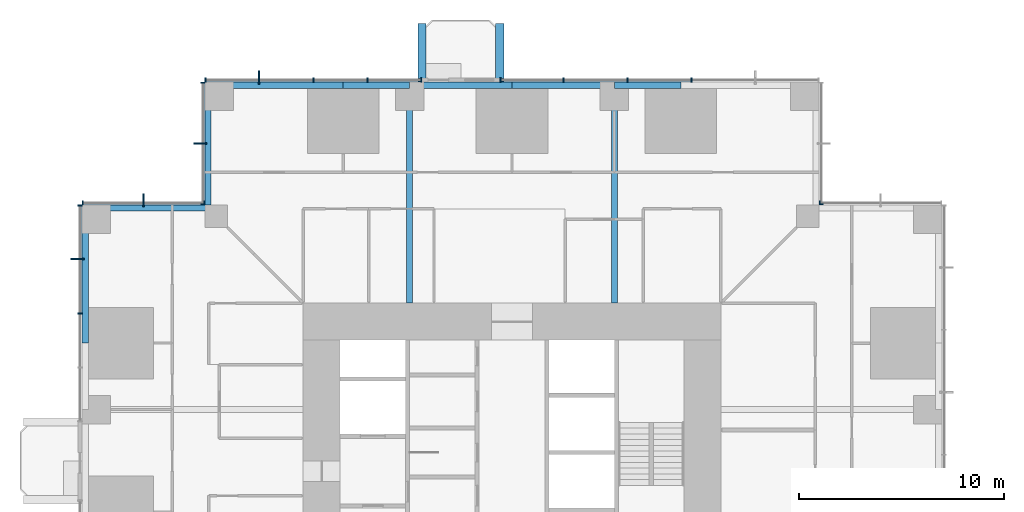
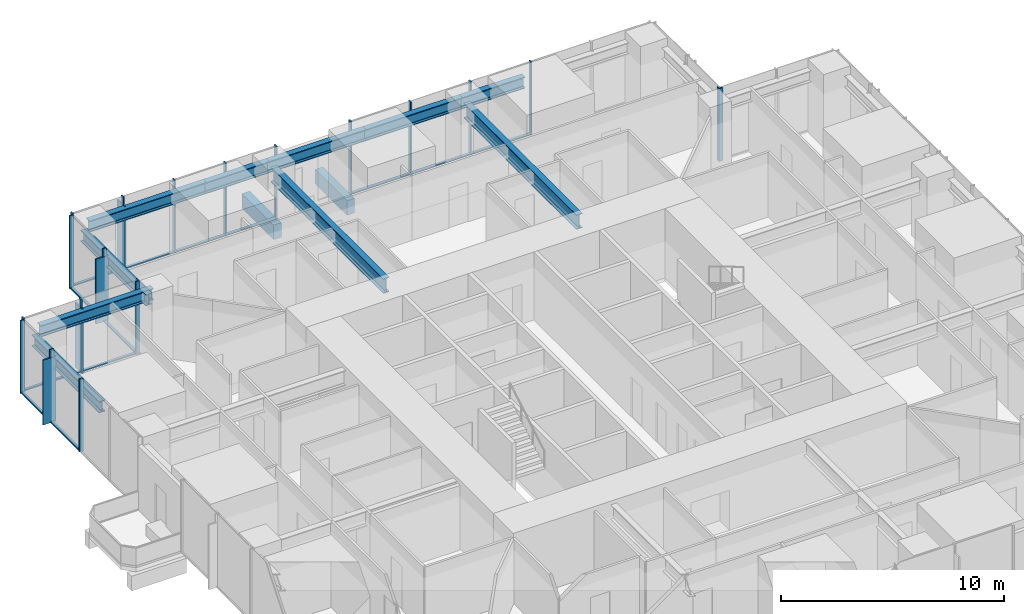
# One storey, part 5 of 17: 37 members, 12 beams, 7 elements without a shape of their own.
"""IFC4 building model written with IfcOpenShell, lengths in metres."""

from ifc_helpers import new_model, si_unit, direction, frame, origin, origin_2d, place, context, subcontext, project, spatial, rectangle, i_section, extrude, material, material_profile, profile_set, type_object, element, aggregate, save


model = new_model("IFC4")

# Units and contexts
model_context = context("Model", 3, precision=1e-05, world=origin(), true_north=direction((0.0, 1.0)))
body_context = subcontext(model_context, "Body", "Model", "MODEL_VIEW")
ifc_project = project(units=[si_unit("LENGTHUNIT", "METRE"), si_unit("AREAUNIT", "SQUARE_METRE"), si_unit("VOLUMEUNIT", "CUBIC_METRE"), si_unit("PLANEANGLEUNIT", "RADIAN"), si_unit("MASSUNIT", "GRAM", prefix="KILO")], contexts=[model_context])

# Site, building, storey
site_placement = place(None, origin())
site = spatial("IfcSite", under=ifc_project, at=site_placement, CompositionType="ELEMENT")
building_placement = place(site_placement, origin())
building = spatial("IfcBuilding", under=site, at=building_placement, Name="Svetlomir Tower", CompositionType="ELEMENT")
storey_placement = place(building_placement, frame((0.0, 0.0, 82.5)))
storey = spatial("IfcBuildingStorey", under=building, at=storey_placement, Name="L19", CompositionType="ELEMENT", Elevation=82.5)

# Beams
ifc_material_1 = material(Name="Concrete C60/75", Category="concrete")
ifc_material_profile_1 = material_profile(ifc_material_1, rectangle(XDim=0.39990234375, YDim=0.800048828125, at=origin_2d()), Name="RC 400x800")
ifc_profile_set_1 = profile_set([ifc_material_profile_1], Name="Concrete C60/75")
beam_type_1 = type_object("IfcBeamType", Name="BALCONY RIB RC 400x800", PredefinedType="BEAM", material=ifc_profile_set_1)
for number, where, z_axis, x_axis, name in (
    (1, (16.60009765625, 42.0, -0.64990234375), (0.0, 1.0, 0.0), (-1.0, 0.0, 0.0), "Balcony rib N 1 L19"),
    (2, (20.39990234375, 42.0, -0.64990234375), (0.0, 1.0, 0.0), (-1.0, 0.0, 0.0), "Balcony rib N 2 L19"),
):
    element("IfcBeam", number, at=place(storey_placement, frame(where, z_axis=z_axis, x_axis=x_axis)), inside=storey, type_object=beam_type_1, Name=name, PredefinedType="BEAM", context=body_context, shape_type="SweptSolid", body=[
        extrude(rectangle(XDim=0.39990234375, YDim=0.800048828125, at=origin_2d()), origin(), (0.0, 0.0, 1.0), 2.85009765625),
    ])

# Curtain wall, member
ifc_material_2 = material(Name="Bronze anodised aluminium curtain wall", Category="aluminium")
curtain_wall_type = type_object("IfcCurtainWallType", Name="CURTAIN WALL CW1 TOWER OFFICE", PredefinedType="NOTDEFINED", material=ifc_material_2)
curtain_wall_1_placement = place(storey_placement, origin())
curtain_wall_1 = element("IfcCurtainWall", 3, at=curtain_wall_1_placement, inside=storey, type_object=curtain_wall_type, Name="Curtain wall CW1 L19", PredefinedType="NOTDEFINED")
ifc_material_3 = material(Name="Bronze anodised aluminium", Category="aluminium")
ifc_material_profile_2 = material_profile(ifc_material_3, rectangle(XDim=0.080078125, YDim=0.64990234375, at=origin_2d()), Name="FIN 80x650")
ifc_profile_set_2 = profile_set([ifc_material_profile_2], Name="Bronze anodised aluminium 6063-T6")
member_type_1 = type_object("IfcMemberType", Name="BRONZE FIN 80x650", PredefinedType="USERDEFINED", material=ifc_profile_set_2)
member_1_placement = place(storey_placement, frame((8.64990234375, 42.22509765625, 0.0), z_axis=(0.0, 0.0, 1.0), x_axis=(1.0, 0.0, 0.0)))
member_1 = element("IfcMember", 4, at=member_1_placement, type_object=member_type_1, Name="Bronze fin L19", ObjectType="FIN", PredefinedType="USERDEFINED", context=body_context, shape_type="SweptSolid", body=[
    extrude(rectangle(XDim=0.080078125, YDim=0.64990234375, at=origin_2d()), origin(), (0.0, 0.0, 1.0), 3.550048828125),
])

curtain_wall_2_placement = place(storey_placement, origin())
curtain_wall_2 = element("IfcCurtainWall", 5, at=curtain_wall_2_placement, inside=storey, type_object=curtain_wall_type, Name="Curtain wall CW1 L19", PredefinedType="NOTDEFINED")
member_2_placement = place(storey_placement, frame((5.77490234375, 39.0, 0.0), z_axis=(0.0, 0.0, 1.0), x_axis=(0.0, 1.0, 0.0)))
member_2 = element("IfcMember", 6, at=member_2_placement, type_object=member_type_1, Name="Bronze fin L19", ObjectType="FIN", PredefinedType="USERDEFINED", context=body_context, shape_type="SweptSolid", body=[
    extrude(rectangle(XDim=0.080078125, YDim=0.64990234375, at=origin_2d()), origin(), (0.0, 0.0, 1.0), 3.550048828125),
])

curtain_wall_3_placement = place(storey_placement, origin())
curtain_wall_3 = element("IfcCurtainWall", 7, at=curtain_wall_3_placement, inside=storey, type_object=curtain_wall_type, Name="Curtain wall CW1 L19", PredefinedType="NOTDEFINED")
member_3_placement = place(storey_placement, frame((3.0, 36.22509765625, 0.0), z_axis=(0.0, 0.0, 1.0), x_axis=(1.0, 0.0, 0.0)))
member_3 = element("IfcMember", 8, at=member_3_placement, type_object=member_type_1, Name="Bronze fin L19", ObjectType="FIN", PredefinedType="USERDEFINED", context=body_context, shape_type="SweptSolid", body=[
    extrude(rectangle(XDim=0.080078125, YDim=0.64990234375, at=origin_2d()), origin(), (0.0, 0.0, 1.0), 3.550048828125),
])

curtain_wall_4_placement = place(storey_placement, origin())
curtain_wall_4 = element("IfcCurtainWall", 9, at=curtain_wall_4_placement, inside=storey, type_object=curtain_wall_type, Name="Curtain wall CW1 L19", PredefinedType="NOTDEFINED")
member_4_placement = place(storey_placement, frame((-0.22509765625, 33.35009765625, 0.0), z_axis=(0.0, 0.0, 1.0), x_axis=(0.0, 1.0, 0.0)))
member_4 = element("IfcMember", 10, at=member_4_placement, type_object=member_type_1, Name="Bronze fin L19", ObjectType="FIN", PredefinedType="USERDEFINED", context=body_context, shape_type="SweptSolid", body=[
    extrude(rectangle(XDim=0.080078125, YDim=0.64990234375, at=origin_2d()), origin(), (0.0, 0.0, 1.0), 3.550048828125),
])

curtain_wall_5_placement = place(storey_placement, origin())
curtain_wall_5 = element("IfcCurtainWall", 11, at=curtain_wall_5_placement, inside=storey, type_object=curtain_wall_type, Name="Curtain wall CW1 L19", PredefinedType="NOTDEFINED")
ifc_material_4 = material(Name="Bronze anodised aluminium", Category="aluminium")
ifc_material_profile_3 = material_profile(ifc_material_4, rectangle(XDim=0.06494140625, YDim=0.199951171875, at=origin_2d()), Name="AL 65x200")
ifc_profile_set_3 = profile_set([ifc_material_profile_3], Name="Bronze anodised aluminium 6063-T6")
member_type_2 = type_object("IfcMemberType", Name="CW1 MULLION 65x200", PredefinedType="MULLION", material=ifc_profile_set_3)
member_5_placement = place(storey_placement, frame((36.032470703125, 36.10009765625, 0.0), z_axis=(0.0, 0.0, 1.0), x_axis=(-1.0, 0.0, 0.0)))
member_5 = element("IfcMember", 12, at=member_5_placement, type_object=member_type_2, Name="CW1 mullion 3", PredefinedType="MULLION", context=body_context, shape_type="SweptSolid", body=[
    extrude(rectangle(XDim=0.06494140625, YDim=0.199951171875, at=origin_2d()), origin(), (0.0, 0.0, 1.0), 4.0),
])
aggregate(curtain_wall_5, [member_5])

curtain_wall_6_placement = place(storey_placement, origin())
curtain_wall_6 = element("IfcCurtainWall", 13, at=curtain_wall_6_placement, inside=storey, type_object=curtain_wall_type, Name="Curtain wall CW1 L19", PredefinedType="NOTDEFINED")
member_6_placement = place(storey_placement, frame((36.10009765625, 36.032470703125, 0.0), z_axis=(0.0, 0.0, 1.0), x_axis=(0.0, 1.0, 0.0)))
member_6 = element("IfcMember", 14, at=member_6_placement, type_object=member_type_2, Name="CW1 mullion 1", PredefinedType="MULLION", context=body_context, shape_type="SweptSolid", body=[
    extrude(rectangle(XDim=0.06494140625, YDim=0.199951171875, at=origin_2d()), origin(), (0.0, 0.0, 1.0), 4.0),
])
aggregate(curtain_wall_6, [member_6])

# Curtain wall, members
curtain_wall_7_placement = place(storey_placement, origin())
curtain_wall_7 = element("IfcCurtainWall", 15, at=curtain_wall_7_placement, inside=storey, type_object=curtain_wall_type, Name="Curtain wall CW1 L19", PredefinedType="NOTDEFINED")
member_7_placement = place(storey_placement, frame((29.760009765625, 42.10009765625, 0.0), z_axis=(0.0, 0.0, 1.0), x_axis=(-1.0, 0.0, 0.0)))
member_7 = element("IfcMember", 16, at=member_7_placement, type_object=member_type_2, Name="CW1 mullion 3", PredefinedType="MULLION", context=body_context, shape_type="SweptSolid", body=[
    extrude(rectangle(XDim=0.06494140625, YDim=0.199951171875, at=origin_2d()), origin(), (0.0, 0.0, 1.0), 4.0),
])
member_8_placement = place(storey_placement, frame((26.639892578125, 42.10009765625, 0.0), z_axis=(0.0, 0.0, 1.0), x_axis=(-1.0, 0.0, 0.0)))
member_8 = element("IfcMember", 17, at=member_8_placement, type_object=member_type_2, Name="CW1 mullion 4", PredefinedType="MULLION", context=body_context, shape_type="SweptSolid", body=[
    extrude(rectangle(XDim=0.06494140625, YDim=0.199951171875, at=origin_2d()), origin(), (0.0, 0.0, 1.0), 4.0),
])
member_9_placement = place(storey_placement, frame((23.52001953125, 42.10009765625, 0.0), z_axis=(0.0, 0.0, 1.0), x_axis=(-1.0, 0.0, 0.0)))
member_9 = element("IfcMember", 18, at=member_9_placement, type_object=member_type_2, Name="CW1 mullion 5", PredefinedType="MULLION", context=body_context, shape_type="SweptSolid", body=[
    extrude(rectangle(XDim=0.06494140625, YDim=0.199951171875, at=origin_2d()), origin(), (0.0, 0.0, 1.0), 4.0),
])
member_10_placement = place(storey_placement, frame((20.4326171875, 42.10009765625, 0.0), z_axis=(0.0, 0.0, 1.0), x_axis=(-1.0, 0.0, 0.0)))
member_10 = element("IfcMember", 19, at=member_10_placement, type_object=member_type_2, Name="CW1 mullion 6", PredefinedType="MULLION", context=body_context, shape_type="SweptSolid", body=[
    extrude(rectangle(XDim=0.06494140625, YDim=0.199951171875, at=origin_2d()), origin(), (0.0, 0.0, 1.0), 4.0),
])

# Member
member_11_placement = place(storey_placement, frame((16.5673828125, 42.10009765625, 0.0), z_axis=(0.0, 0.0, 1.0), x_axis=(-1.0, 0.0, 0.0)))
member_11 = element("IfcMember", 20, at=member_11_placement, type_object=member_type_2, Name="CW1 mullion 1", PredefinedType="MULLION", context=body_context, shape_type="SweptSolid", body=[
    extrude(rectangle(XDim=0.06494140625, YDim=0.199951171875, at=origin_2d()), origin(), (0.0, 0.0, 1.0), 4.0),
])

member_12_placement = place(storey_placement, frame((13.949951171875, 42.10009765625, 0.0), z_axis=(0.0, 0.0, 1.0), x_axis=(-1.0, 0.0, 0.0)))
member_12 = element("IfcMember", 21, at=member_12_placement, type_object=member_type_2, Name="CW1 mullion 2", PredefinedType="MULLION", context=body_context, shape_type="SweptSolid", body=[
    extrude(rectangle(XDim=0.06494140625, YDim=0.199951171875, at=origin_2d()), origin(), (0.0, 0.0, 1.0), 4.0),
])

member_13_placement = place(storey_placement, frame((11.300048828125, 42.10009765625, 0.0), z_axis=(0.0, 0.0, 1.0), x_axis=(-1.0, 0.0, 0.0)))
member_13 = element("IfcMember", 22, at=member_13_placement, type_object=member_type_2, Name="CW1 mullion 3", PredefinedType="MULLION", context=body_context, shape_type="SweptSolid", body=[
    extrude(rectangle(XDim=0.06494140625, YDim=0.199951171875, at=origin_2d()), origin(), (0.0, 0.0, 1.0), 4.0),
])

member_14_placement = place(storey_placement, frame((8.64990234375, 42.10009765625, 0.0), z_axis=(0.0, 0.0, 1.0), x_axis=(-1.0, 0.0, 0.0)))
member_14 = element("IfcMember", 23, at=member_14_placement, type_object=member_type_2, Name="CW1 mullion 4", PredefinedType="MULLION", context=body_context, shape_type="SweptSolid", body=[
    extrude(rectangle(XDim=0.06494140625, YDim=0.199951171875, at=origin_2d()), origin(), (0.0, 0.0, 1.0), 4.0),
])

member_15_placement = place(storey_placement, frame((6.032470703125, 42.10009765625, 0.0), z_axis=(0.0, 0.0, 1.0), x_axis=(-1.0, 0.0, 0.0)))
member_15 = element("IfcMember", 24, at=member_15_placement, type_object=member_type_2, Name="CW1 mullion 5", PredefinedType="MULLION", context=body_context, shape_type="SweptSolid", body=[
    extrude(rectangle(XDim=0.06494140625, YDim=0.199951171875, at=origin_2d()), origin(), (0.0, 0.0, 1.0), 4.0),
])

member_16_placement = place(storey_placement, frame((5.89990234375, 41.967529296875, 0.0), z_axis=(0.0, 0.0, 1.0), x_axis=(0.0, -1.0, 0.0)))
member_16 = element("IfcMember", 25, at=member_16_placement, type_object=member_type_2, Name="CW1 mullion 1", PredefinedType="MULLION", context=body_context, shape_type="SweptSolid", body=[
    extrude(rectangle(XDim=0.06494140625, YDim=0.199951171875, at=origin_2d()), origin(), (0.0, 0.0, 1.0), 4.0),
])

member_17_placement = place(storey_placement, frame((5.89990234375, 39.0, 0.0), z_axis=(0.0, 0.0, 1.0), x_axis=(0.0, -1.0, 0.0)))
member_17 = element("IfcMember", 26, at=member_17_placement, type_object=member_type_2, Name="CW1 mullion 2", PredefinedType="MULLION", context=body_context, shape_type="SweptSolid", body=[
    extrude(rectangle(XDim=0.06494140625, YDim=0.199951171875, at=origin_2d()), origin(), (0.0, 0.0, 1.0), 4.0),
])

member_18_placement = place(storey_placement, frame((5.89990234375, 36.032470703125, 0.0), z_axis=(0.0, 0.0, 1.0), x_axis=(0.0, -1.0, 0.0)))
member_18 = element("IfcMember", 27, at=member_18_placement, type_object=member_type_2, Name="CW1 mullion 3", PredefinedType="MULLION", context=body_context, shape_type="SweptSolid", body=[
    extrude(rectangle(XDim=0.06494140625, YDim=0.199951171875, at=origin_2d()), origin(), (0.0, 0.0, 1.0), 4.0),
])

member_19_placement = place(storey_placement, frame((5.967529296875, 36.10009765625, 0.0), z_axis=(0.0, 0.0, 1.0), x_axis=(-1.0, 0.0, 0.0)))
member_19 = element("IfcMember", 28, at=member_19_placement, type_object=member_type_2, Name="CW1 mullion 1", PredefinedType="MULLION", context=body_context, shape_type="SweptSolid", body=[
    extrude(rectangle(XDim=0.06494140625, YDim=0.199951171875, at=origin_2d()), origin(), (0.0, 0.0, 1.0), 4.0),
])

member_20_placement = place(storey_placement, frame((3.0, 36.10009765625, 0.0), z_axis=(0.0, 0.0, 1.0), x_axis=(-1.0, 0.0, 0.0)))
member_20 = element("IfcMember", 29, at=member_20_placement, type_object=member_type_2, Name="CW1 mullion 2", PredefinedType="MULLION", context=body_context, shape_type="SweptSolid", body=[
    extrude(rectangle(XDim=0.06494140625, YDim=0.199951171875, at=origin_2d()), origin(), (0.0, 0.0, 1.0), 4.0),
])

member_21_placement = place(storey_placement, frame((0.032470703125, 36.10009765625, 0.0), z_axis=(0.0, 0.0, 1.0), x_axis=(-1.0, 0.0, 0.0)))
member_21 = element("IfcMember", 30, at=member_21_placement, type_object=member_type_2, Name="CW1 mullion 3", PredefinedType="MULLION", context=body_context, shape_type="SweptSolid", body=[
    extrude(rectangle(XDim=0.06494140625, YDim=0.199951171875, at=origin_2d()), origin(), (0.0, 0.0, 1.0), 4.0),
])

member_22_placement = place(storey_placement, frame((-0.10009765625, 35.967529296875, 0.0), z_axis=(0.0, 0.0, 1.0), x_axis=(0.0, -1.0, 0.0)))
member_22 = element("IfcMember", 31, at=member_22_placement, type_object=member_type_2, Name="CW1 mullion 1", PredefinedType="MULLION", context=body_context, shape_type="SweptSolid", body=[
    extrude(rectangle(XDim=0.06494140625, YDim=0.199951171875, at=origin_2d()), origin(), (0.0, 0.0, 1.0), 4.0),
])

member_23_placement = place(storey_placement, frame((-0.10009765625, 33.35009765625, 0.0), z_axis=(0.0, 0.0, 1.0), x_axis=(0.0, -1.0, 0.0)))
member_23 = element("IfcMember", 32, at=member_23_placement, type_object=member_type_2, Name="CW1 mullion 2", PredefinedType="MULLION", context=body_context, shape_type="SweptSolid", body=[
    extrude(rectangle(XDim=0.06494140625, YDim=0.199951171875, at=origin_2d()), origin(), (0.0, 0.0, 1.0), 4.0),
])

member_24_placement = place(storey_placement, frame((-0.10009765625, 30.699951171875, 0.0), z_axis=(0.0, 0.0, 1.0), x_axis=(0.0, -1.0, 0.0)))
member_24 = element("IfcMember", 33, at=member_24_placement, type_object=member_type_2, Name="CW1 mullion 3", PredefinedType="MULLION", context=body_context, shape_type="SweptSolid", body=[
    extrude(rectangle(XDim=0.06494140625, YDim=0.199951171875, at=origin_2d()), origin(), (0.0, 0.0, 1.0), 4.0),
])

ifc_material_5 = material(Name="Bronze anodised aluminium", Category="aluminium")
ifc_material_profile_4 = material_profile(ifc_material_5, rectangle(XDim=0.139892578125, YDim=0.06494140625, at=origin_2d()), Name="AL 140x65")
ifc_profile_set_4 = profile_set([ifc_material_profile_4], Name="Bronze anodised aluminium 6063-T6")
member_type_3 = type_object("IfcMemberType", Name="CW1 TRANSOM 65x140", PredefinedType="USERDEFINED", material=ifc_profile_set_4)
member_25_placement = place(storey_placement, frame((29.7275390625, 42.10009765625, 0.032470703125), z_axis=(-1.0, 0.0, 0.0), x_axis=(0.0, -1.0, 0.0)))
member_25 = element("IfcMember", 34, at=member_25_placement, type_object=member_type_3, Name="CW1 transom 3.1", ObjectType="TRANSOM", PredefinedType="USERDEFINED", context=body_context, shape_type="SweptSolid", body=[
    extrude(rectangle(XDim=0.139892578125, YDim=0.06494140625, at=origin_2d()), origin(), (0.0, 0.0, 1.0), 3.054931640625),
])

member_26_placement = place(storey_placement, frame((26.607421875, 42.10009765625, 0.032470703125), z_axis=(-1.0, 0.0, 0.0), x_axis=(0.0, -1.0, 0.0)))
member_26 = element("IfcMember", 35, at=member_26_placement, type_object=member_type_3, Name="CW1 transom 4.1", ObjectType="TRANSOM", PredefinedType="USERDEFINED", context=body_context, shape_type="SweptSolid", body=[
    extrude(rectangle(XDim=0.139892578125, YDim=0.06494140625, at=origin_2d()), origin(), (0.0, 0.0, 1.0), 3.054931640625),
])

member_27_placement = place(storey_placement, frame((23.487548828125, 42.10009765625, 0.032470703125), z_axis=(-1.0, 0.0, 0.0), x_axis=(0.0, -1.0, 0.0)))
member_27 = element("IfcMember", 36, at=member_27_placement, type_object=member_type_3, Name="CW1 transom 5.1", ObjectType="TRANSOM", PredefinedType="USERDEFINED", context=body_context, shape_type="SweptSolid", body=[
    extrude(rectangle(XDim=0.139892578125, YDim=0.06494140625, at=origin_2d()), origin(), (0.0, 0.0, 1.0), 3.0224609375),
])

aggregate(curtain_wall_7, [member_7, member_8, member_9, member_10, member_25, member_26, member_27])

member_28_placement = place(storey_placement, frame((16.534912109375, 42.10009765625, 0.032470703125), z_axis=(-1.0, 0.0, 0.0), x_axis=(0.0, -1.0, 0.0)))
member_28 = element("IfcMember", 37, at=member_28_placement, type_object=member_type_3, Name="CW1 transom 1.1", ObjectType="TRANSOM", PredefinedType="USERDEFINED", context=body_context, shape_type="SweptSolid", body=[
    extrude(rectangle(XDim=0.139892578125, YDim=0.06494140625, at=origin_2d()), origin(), (0.0, 0.0, 1.0), 2.552490234375),
])

member_29_placement = place(storey_placement, frame((13.91748046875, 42.10009765625, 0.032470703125), z_axis=(-1.0, 0.0, 0.0), x_axis=(0.0, -1.0, 0.0)))
member_29 = element("IfcMember", 38, at=member_29_placement, type_object=member_type_3, Name="CW1 transom 2.1", ObjectType="TRANSOM", PredefinedType="USERDEFINED", context=body_context, shape_type="SweptSolid", body=[
    extrude(rectangle(XDim=0.139892578125, YDim=0.06494140625, at=origin_2d()), origin(), (0.0, 0.0, 1.0), 2.5849609375),
])

member_30_placement = place(storey_placement, frame((11.267578125, 42.10009765625, 0.032470703125), z_axis=(-1.0, 0.0, 0.0), x_axis=(0.0, -1.0, 0.0)))
member_30 = element("IfcMember", 39, at=member_30_placement, type_object=member_type_3, Name="CW1 transom 3.1", ObjectType="TRANSOM", PredefinedType="USERDEFINED", context=body_context, shape_type="SweptSolid", body=[
    extrude(rectangle(XDim=0.139892578125, YDim=0.06494140625, at=origin_2d()), origin(), (0.0, 0.0, 1.0), 2.5849609375),
])

member_31_placement = place(storey_placement, frame((8.617431640625, 42.10009765625, 0.032470703125), z_axis=(-1.0, 0.0, 0.0), x_axis=(0.0, -1.0, 0.0)))
member_31 = element("IfcMember", 40, at=member_31_placement, type_object=member_type_3, Name="CW1 transom 4.1", ObjectType="TRANSOM", PredefinedType="USERDEFINED", context=body_context, shape_type="SweptSolid", body=[
    extrude(rectangle(XDim=0.139892578125, YDim=0.06494140625, at=origin_2d()), origin(), (0.0, 0.0, 1.0), 2.552490234375),
])

aggregate(curtain_wall_1, [member_11, member_12, member_13, member_14, member_15, member_28, member_29, member_30, member_31, member_1])

member_32_placement = place(storey_placement, frame((5.89990234375, 41.93505859375, 0.032470703125), z_axis=(0.0, -1.0, 0.0), x_axis=(1.0, 0.0, 0.0)))
member_32 = element("IfcMember", 41, at=member_32_placement, type_object=member_type_3, Name="CW1 transom 1.1", ObjectType="TRANSOM", PredefinedType="USERDEFINED", context=body_context, shape_type="SweptSolid", body=[
    extrude(rectangle(XDim=0.139892578125, YDim=0.06494140625, at=origin_2d()), origin(), (0.0, 0.0, 1.0), 2.902587890625),
])

member_33_placement = place(storey_placement, frame((5.89990234375, 38.967529296875, 0.032470703125), z_axis=(0.0, -1.0, 0.0), x_axis=(1.0, 0.0, 0.0)))
member_33 = element("IfcMember", 42, at=member_33_placement, type_object=member_type_3, Name="CW1 transom 2.1", ObjectType="TRANSOM", PredefinedType="USERDEFINED", context=body_context, shape_type="SweptSolid", body=[
    extrude(rectangle(XDim=0.139892578125, YDim=0.06494140625, at=origin_2d()), origin(), (0.0, 0.0, 1.0), 2.902587890625),
])

aggregate(curtain_wall_2, [member_16, member_17, member_18, member_32, member_33, member_2])

member_34_placement = place(storey_placement, frame((5.93505859375, 36.10009765625, 0.032470703125), z_axis=(-1.0, 0.0, 0.0), x_axis=(0.0, -1.0, 0.0)))
member_34 = element("IfcMember", 43, at=member_34_placement, type_object=member_type_3, Name="CW1 transom 1.1", ObjectType="TRANSOM", PredefinedType="USERDEFINED", context=body_context, shape_type="SweptSolid", body=[
    extrude(rectangle(XDim=0.139892578125, YDim=0.06494140625, at=origin_2d()), origin(), (0.0, 0.0, 1.0), 2.902587890625),
])

member_35_placement = place(storey_placement, frame((2.967529296875, 36.10009765625, 0.032470703125), z_axis=(-1.0, 0.0, 0.0), x_axis=(0.0, -1.0, 0.0)))
member_35 = element("IfcMember", 44, at=member_35_placement, type_object=member_type_3, Name="CW1 transom 2.1", ObjectType="TRANSOM", PredefinedType="USERDEFINED", context=body_context, shape_type="SweptSolid", body=[
    extrude(rectangle(XDim=0.139892578125, YDim=0.06494140625, at=origin_2d()), origin(), (0.0, 0.0, 1.0), 2.902587890625),
])

aggregate(curtain_wall_3, [member_19, member_20, member_21, member_34, member_35, member_3])

member_36_placement = place(storey_placement, frame((-0.10009765625, 35.93505859375, 0.032470703125), z_axis=(0.0, -1.0, 0.0), x_axis=(1.0, 0.0, 0.0)))
member_36 = element("IfcMember", 45, at=member_36_placement, type_object=member_type_3, Name="CW1 transom 1.1", ObjectType="TRANSOM", PredefinedType="USERDEFINED", context=body_context, shape_type="SweptSolid", body=[
    extrude(rectangle(XDim=0.139892578125, YDim=0.06494140625, at=origin_2d()), origin(), (0.0, 0.0, 1.0), 2.552490234375),
])

member_37_placement = place(storey_placement, frame((-0.10009765625, 33.3173828125, 0.032470703125), z_axis=(0.0, -1.0, 0.0), x_axis=(1.0, 0.0, 0.0)))
member_37 = element("IfcMember", 46, at=member_37_placement, type_object=member_type_3, Name="CW1 transom 2.1", ObjectType="TRANSOM", PredefinedType="USERDEFINED", context=body_context, shape_type="SweptSolid", body=[
    extrude(rectangle(XDim=0.139892578125, YDim=0.06494140625, at=origin_2d()), origin(), (0.0, 0.0, 1.0), 2.5849609375),
])

aggregate(curtain_wall_4, [member_22, member_23, member_24, member_36, member_37, member_4])

# Beams
ifc_material_6 = material(Name="Steel S355", Category="steel")
ifc_material_profile_5 = material_profile(ifc_material_6, i_section(OverallWidth=0.304931640625, OverallDepth=0.6201171875, WebThickness=0.02099609375, FlangeThickness=0.0400390625, FilletRadius=0.027099609375, at=origin_2d()), Name="HEM 600")
ifc_profile_set_5 = profile_set([ifc_material_profile_5], Name="Steel S355")
beam_type_2 = type_object("IfcBeamType", Name="EDGE BEAM HEM 600", PredefinedType="SPANDREL", material=ifc_profile_set_5)
beam_1_placement = place(storey_placement, frame((6.699951171875, 41.847412109375, 3.239990234375), z_axis=(1.0, 0.0, 0.0), x_axis=(0.0, 1.0, 0.0)))
element("IfcBeam", 47, at=beam_1_placement, inside=storey, type_object=beam_type_2, Name="Edge beam 6/42 to 11/42 under L20", PredefinedType="SPANDREL", context=body_context, shape_type="SweptSolid", body=[
    extrude(i_section(OverallWidth=0.304931640625, OverallDepth=0.6201171875, WebThickness=0.02099609375, FlangeThickness=0.0400390625, FilletRadius=0.027099609375, at=origin_2d()), origin(), (0.0, 0.0, 1.0), 6.050048828125),
])
beam_2_placement = place(storey_placement, frame((12.75, 41.847412109375, 3.239990234375), z_axis=(1.0, 0.0, 0.0), x_axis=(0.0, 1.0, 0.0)))
element("IfcBeam", 48, at=beam_2_placement, inside=storey, type_object=beam_type_2, Name="Edge beam 11/42 to 16/42 under L20", PredefinedType="SPANDREL", context=body_context, shape_type="SweptSolid", body=[
    extrude(i_section(OverallWidth=0.304931640625, OverallDepth=0.6201171875, WebThickness=0.02099609375, FlangeThickness=0.0400390625, FilletRadius=0.027099609375, at=origin_2d()), origin(), (0.0, 0.0, 1.0), 3.25),
])
for number, where, z_axis, x_axis, name in (
    (49, (16.0, 41.847412109375, 3.239990234375), (1.0, 0.0, 0.0), (0.0, 1.0, 0.0), "Edge beam 16/42 to 21/42 under L20"),
    (50, (21.0, 41.847412109375, 3.239990234375), (1.0, 0.0, 0.0), (0.0, 1.0, 0.0), "Edge beam 21/42 to 26/42 under L20"),
):
    element("IfcBeam", number, at=place(storey_placement, frame(where, z_axis=z_axis, x_axis=x_axis)), inside=storey, type_object=beam_type_2, Name=name, PredefinedType="SPANDREL", context=body_context, shape_type="SweptSolid", body=[
        extrude(i_section(OverallWidth=0.304931640625, OverallDepth=0.6201171875, WebThickness=0.02099609375, FlangeThickness=0.0400390625, FilletRadius=0.027099609375, at=origin_2d()), origin(), (0.0, 0.0, 1.0), 5.0),
    ])
beam_3_placement = place(storey_placement, frame((26.0, 41.847412109375, 3.239990234375), z_axis=(1.0, 0.0, 0.0), x_axis=(0.0, 1.0, 0.0)))
element("IfcBeam", 51, at=beam_3_placement, inside=storey, type_object=beam_type_2, Name="Edge beam 26/42 to 31/42 under L20", PredefinedType="SPANDREL", context=body_context, shape_type="SweptSolid", body=[
    extrude(i_section(OverallWidth=0.304931640625, OverallDepth=0.6201171875, WebThickness=0.02099609375, FlangeThickness=0.0400390625, FilletRadius=0.027099609375, at=origin_2d()), origin(), (0.0, 0.0, 1.0), 3.25),
])
beam_4_placement = place(storey_placement, frame((0.152587890625, 29.25, 3.239990234375), z_axis=(0.0, 1.0, 0.0), x_axis=(-1.0, 0.0, 0.0)))
element("IfcBeam", 52, at=beam_4_placement, inside=storey, type_object=beam_type_2, Name="Edge beam 0/31 to 0/36 under L20", PredefinedType="SPANDREL", context=body_context, shape_type="SweptSolid", body=[
    extrude(i_section(OverallWidth=0.304931640625, OverallDepth=0.6201171875, WebThickness=0.02099609375, FlangeThickness=0.0400390625, FilletRadius=0.027099609375, at=origin_2d()), origin(), (0.0, 0.0, 1.0), 6.050048828125),
])
for number, where, z_axis, x_axis, name in (
    (53, (6.152587890625, 41.300048828125, 3.239990234375), (0.0, -1.0, 0.0), (1.0, 0.0, 0.0), "Edge beam 6/42 to 6/36 under L20"),
    (54, (0.699951171875, 35.847412109375, 3.239990234375), (1.0, 0.0, 0.0), (0.0, 1.0, 0.0), "Edge beam 0/36 to 6/36 under L20"),
):
    element("IfcBeam", number, at=place(storey_placement, frame(where, z_axis=z_axis, x_axis=x_axis)), inside=storey, type_object=beam_type_2, Name=name, PredefinedType="SPANDREL", context=body_context, shape_type="SweptSolid", body=[
        extrude(i_section(OverallWidth=0.304931640625, OverallDepth=0.6201171875, WebThickness=0.02099609375, FlangeThickness=0.0400390625, FilletRadius=0.027099609375, at=origin_2d()), origin(), (0.0, 0.0, 1.0), 5.85009765625),
    ])
ifc_material_7 = material(Name="Steel S355", Category="steel")
ifc_material_profile_6 = material_profile(ifc_material_7, i_section(OverallWidth=0.302978515625, OverallDepth=0.81396484375, WebThickness=0.02099609375, FlangeThickness=0.0400390625, FilletRadius=0.030029296875, at=origin_2d()), Name="HEM 800")
ifc_profile_set_6 = profile_set([ifc_material_profile_6], Name="Steel S355")
beam_type_3 = type_object("IfcBeamType", Name="PLANT FLOOR BEAM HEM 800", PredefinedType="BEAM", material=ifc_profile_set_6)
for number, where, z_axis, x_axis, name in (
    (55, (16.0, 41.300048828125, 3.14306640625), (0.0, -1.0, 0.0), (1.0, 0.0, 0.0), "Plant floor beam N 16 under L20"),
    (56, (26.0, 41.300048828125, 3.14306640625), (0.0, -1.0, 0.0), (1.0, 0.0, 0.0), "Plant floor beam N 26 under L20"),
):
    element("IfcBeam", number, at=place(storey_placement, frame(where, z_axis=z_axis, x_axis=x_axis)), inside=storey, type_object=beam_type_3, Name=name, PredefinedType="BEAM", context=body_context, shape_type="SweptSolid", body=[
        extrude(i_section(OverallWidth=0.302978515625, OverallDepth=0.81396484375, WebThickness=0.02099609375, FlangeThickness=0.0400390625, FilletRadius=0.030029296875, at=origin_2d()), origin(), (0.0, 0.0, 1.0), 10.10009765625),
    ])

save(model, "model.ifc")
